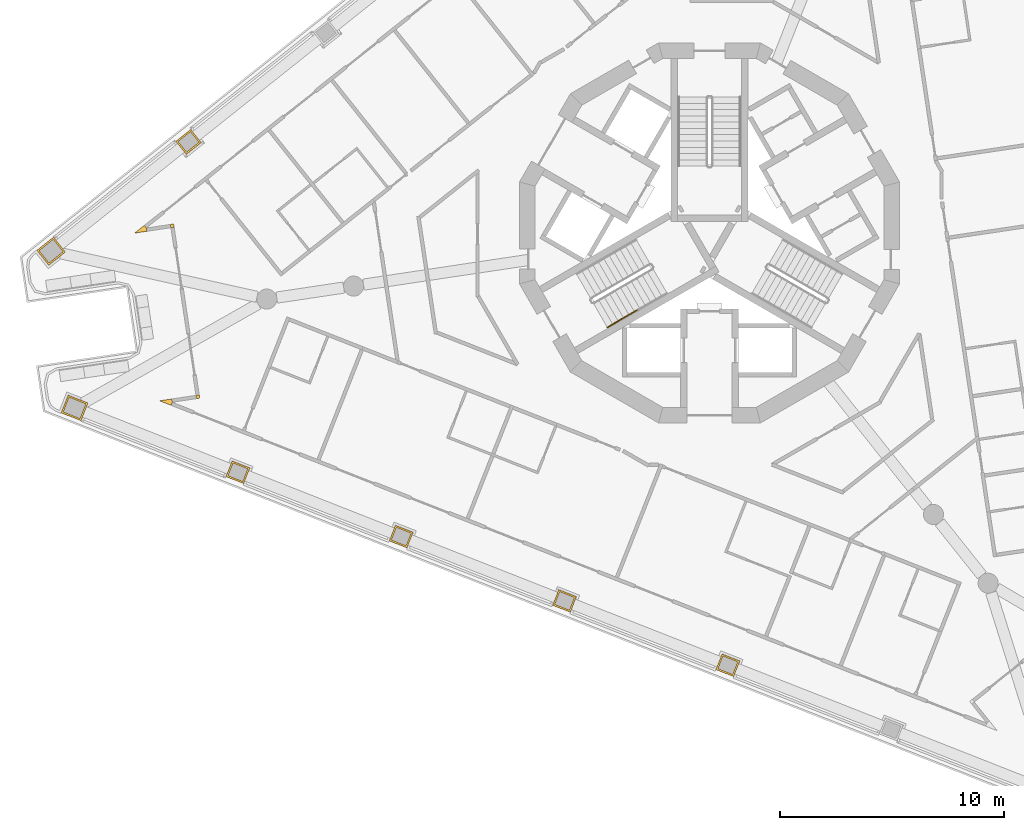
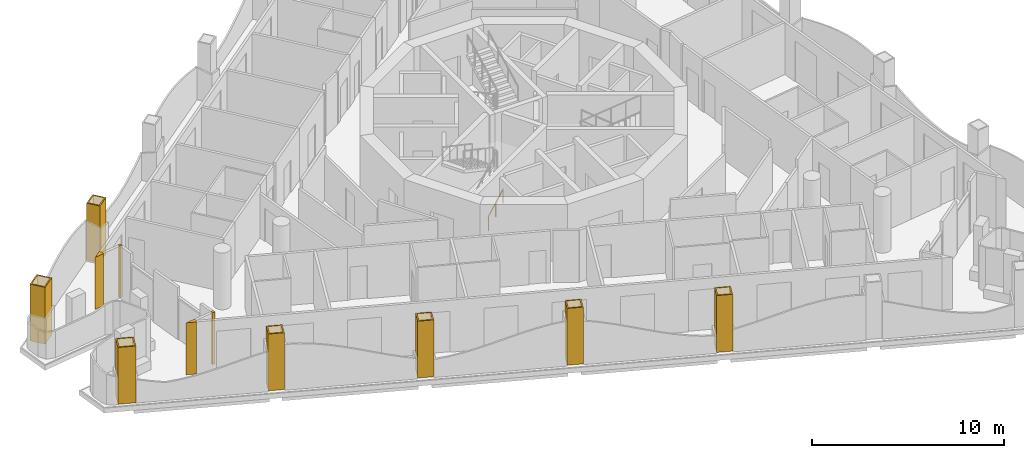
# One storey, part 10 of 16: 11 coverings, 1 railing.
"""IFC4 building model written with IfcOpenShell, lengths in metres."""

from ifc_helpers import new_model, si_unit, direction, frame, origin, origin_2d, place, context, subcontext, project, spatial, polyline, circle, outline, extrude, material, layer, layer_set, type_object, element, save


model = new_model("IFC4")

# Units and contexts
model_context = context("Model", 3, precision=1e-05, world=origin(), true_north=direction((0.0, 1.0)))
body_context = subcontext(model_context, "Body", "Model", "MODEL_VIEW")
ifc_project = project(units=[si_unit("LENGTHUNIT", "METRE"), si_unit("AREAUNIT", "SQUARE_METRE"), si_unit("VOLUMEUNIT", "CUBIC_METRE"), si_unit("PLANEANGLEUNIT", "RADIAN"), si_unit("MASSUNIT", "GRAM", prefix="KILO")], contexts=[model_context])

# Site, building, storey
site_placement = place(None, origin())
site = spatial("IfcSite", under=ifc_project, at=site_placement, CompositionType="ELEMENT")
building_placement = place(site_placement, origin())
building = spatial("IfcBuilding", under=site, at=building_placement, Name="Trine Commons Tower", CompositionType="ELEMENT")
storey_placement = place(building_placement, frame((0.0, 0.0, 205.199951171875)))
storey = spatial("IfcBuildingStorey", under=building, at=storey_placement, Name="L53", CompositionType="ELEMENT", Elevation=205.199951171875)

# Coverings
ifc_material_1 = material(Name="Aluminium-framed insulated wall panel", Category="aluminium")
ifc_layer_1 = layer(ifc_material_1, 0.14990234375)
ifc_layer_set_1 = layer_set([ifc_layer_1], Name="Aluminium-framed insulated wall panel")
covering_type_1 = type_object("IfcCoveringType", Name="Glazing corner post, aluminium", PredefinedType="CLADDING", material=ifc_layer_set_1)
covering_1_placement = place(storey_placement, origin())
element("IfcCovering", 1, at=covering_1_placement, inside=storey, type_object=covering_type_1, Name="Glazing corner post 6-01", PredefinedType="CLADDING", context=body_context, shape_type="SweptSolid", body=[
    extrude(outline(polyline([(54.83642578125, 62.5712890625), (54.814208984375, 62.7197265625), (54.720947265625, 62.837158203125), (54.28271484375, 62.488525390625), (54.83642578125, 62.5712890625)])), origin(), (0.0, 0.0, 1.0), 3.300048828125),
])
covering_2_placement = place(storey_placement, origin())
element("IfcCovering", 2, at=covering_2_placement, inside=storey, type_object=covering_type_1, Name="Glazing corner post 6-10", PredefinedType="CLADDING", context=body_context, shape_type="SweptSolid", body=[
    extrude(outline(polyline([(55.924072265625, 54.78662109375), (55.97900390625, 54.92626953125), (55.956787109375, 55.07470703125), (55.4033203125, 54.991943359375), (55.924072265625, 54.78662109375)])), origin(), (0.0, 0.0, 1.0), 3.300048828125),
])
covering_3_placement = place(storey_placement, origin())
element("IfcCovering", 3, at=covering_3_placement, inside=storey, type_object=covering_type_1, Name="Glazing corner post 6-11", PredefinedType="CLADDING", context=body_context, shape_type="SweptSolid", body=[
    extrude(outline(polyline([(57.030517578125, 55.235107421875), (57.052734375, 55.0869140625), (57.201171875, 55.10888671875), (57.178955078125, 55.25732421875), (57.030517578125, 55.235107421875)])), origin(), (0.0, 0.0, 1.0), 3.300048828125),
])
covering_4_placement = place(storey_placement, origin())
element("IfcCovering", 4, at=covering_4_placement, inside=storey, type_object=covering_type_1, Name="Glazing corner post 6-12", PredefinedType="CLADDING", context=body_context, shape_type="SweptSolid", body=[
    extrude(outline(polyline([(55.91015625, 62.731689453125), (55.91015625, 62.731689453125), (56.05859375, 62.75390625), (56.036376953125, 62.90234375), (55.887939453125, 62.880126953125), (55.91015625, 62.731689453125)])), origin(), (0.0, 0.0, 1.0), 3.300048828125),
])
ifc_material_2 = material(Name="Limestone, honed", Category="masonry")
ifc_layer_2 = layer(ifc_material_2, 0.074951171875)
ifc_layer_set_2 = layer_set([ifc_layer_2], Name="Limestone, honed")
covering_type_2 = type_object("IfcCoveringType", Name="Limestone column cladding 75", PredefinedType="CLADDING", material=ifc_layer_set_2)
covering_5_placement = place(storey_placement, origin())
element("IfcCovering", 5, at=covering_5_placement, inside=storey, type_object=covering_type_2, Name="Limestone pier cladding 6-03", PredefinedType="CLADDING", context=body_context, shape_type="SweptSolid", body=[
    extrude(outline(polyline([(80.562744140625, 43.66796875), (80.287841796875, 42.97021484375), (81.078857421875, 42.658447265625), (81.353759765625, 43.356201171875), (80.562744140625, 43.66796875)]), holes=[polyline([(80.60498046875, 43.570556640625), (80.38525390625, 43.012451171875), (81.03662109375, 42.755859375), (81.25634765625, 43.31396484375), (80.60498046875, 43.570556640625)])]), origin(), (0.0, 0.0, 1.0), 3.60009765625),
])
covering_6_placement = place(storey_placement, origin())
element("IfcCovering", 6, at=covering_6_placement, inside=storey, type_object=covering_type_2, Name="Limestone pier cladding 6-04", PredefinedType="CLADDING", context=body_context, shape_type="SweptSolid", body=[
    extrude(outline(polyline([(73.25830078125, 46.545166015625), (72.9833984375, 45.847412109375), (73.7744140625, 45.535888671875), (74.04931640625, 46.233642578125), (73.25830078125, 46.545166015625)]), holes=[polyline([(73.30078125, 46.447998046875), (73.080810546875, 45.8896484375), (73.732177734375, 45.633056640625), (73.951904296875, 46.19140625), (73.30078125, 46.447998046875)])]), origin(), (0.0, 0.0, 1.0), 3.60009765625),
])
covering_7_placement = place(storey_placement, origin())
element("IfcCovering", 7, at=covering_7_placement, inside=storey, type_object=covering_type_2, Name="Limestone pier cladding 6-05", PredefinedType="CLADDING", context=body_context, shape_type="SweptSolid", body=[
    extrude(outline(polyline([(65.9541015625, 49.42236328125), (65.67919921875, 48.724609375), (66.47021484375, 48.4130859375), (66.7451171875, 49.11083984375), (65.9541015625, 49.42236328125)]), holes=[polyline([(65.996337890625, 49.3251953125), (65.776611328125, 48.766845703125), (66.427734375, 48.51025390625), (66.647705078125, 49.068603515625), (65.996337890625, 49.3251953125)])]), origin(), (0.0, 0.0, 1.0), 3.60009765625),
])
covering_8_placement = place(storey_placement, origin())
element("IfcCovering", 8, at=covering_8_placement, inside=storey, type_object=covering_type_2, Name="Limestone pier cladding 6-06", PredefinedType="CLADDING", context=body_context, shape_type="SweptSolid", body=[
    extrude(outline(polyline([(58.64990234375, 52.2998046875), (58.375, 51.601806640625), (59.165771484375, 51.290283203125), (59.440673828125, 51.988037109375), (58.64990234375, 52.2998046875)]), holes=[polyline([(58.692138671875, 52.202392578125), (58.47216796875, 51.644287109375), (59.12353515625, 51.3876953125), (59.343505859375, 51.94580078125), (58.692138671875, 52.202392578125)])]), origin(), (0.0, 0.0, 1.0), 3.60009765625),
])
covering_9_placement = place(storey_placement, origin())
element("IfcCovering", 9, at=covering_9_placement, inside=storey, type_object=covering_type_2, Name="Limestone pier cladding 6-07", PredefinedType="CLADDING", context=body_context, shape_type="SweptSolid", body=[
    extrude(outline(polyline([(51.317138671875, 55.24169921875), (51.005615234375, 54.450927734375), (51.8896484375, 54.102783203125), (52.201171875, 54.8935546875), (51.317138671875, 55.24169921875)]), holes=[polyline([(51.359619140625, 55.14453125), (51.10302734375, 54.493408203125), (51.847412109375, 54.2001953125), (52.103759765625, 54.851318359375), (51.359619140625, 55.14453125)])]), origin(), (0.0, 0.0, 1.0), 3.60009765625),
])
covering_10_placement = place(storey_placement, origin())
element("IfcCovering", 10, at=covering_10_placement, inside=storey, type_object=covering_type_2, Name="Limestone pier cladding 6-08", PredefinedType="CLADDING", context=body_context, shape_type="SweptSolid", body=[
    extrude(outline(polyline([(51.19189453125, 61.646484375), (50.662841796875, 62.311767578125), (49.919189453125, 61.72021484375), (50.448486328125, 61.05517578125), (51.19189453125, 61.646484375)]), holes=[polyline([(51.08642578125, 61.658447265625), (50.65087890625, 62.206298828125), (50.024658203125, 61.708251953125), (50.46044921875, 61.160400390625), (51.08642578125, 61.658447265625)])]), origin(), (0.0, 0.0, 1.0), 3.60009765625),
])
covering_11_placement = place(storey_placement, origin())
element("IfcCovering", 11, at=covering_11_placement, inside=storey, type_object=covering_type_2, Name="Limestone pier cladding 6-09", PredefinedType="CLADDING", context=body_context, shape_type="SweptSolid", body=[
    extrude(outline(polyline([(57.265625, 66.54150390625), (56.798583984375, 67.12841796875), (56.13330078125, 66.599365234375), (56.600341796875, 66.012451171875), (57.265625, 66.54150390625)]), holes=[polyline([(57.16015625, 66.5537109375), (56.78662109375, 67.023193359375), (56.23876953125, 66.58740234375), (56.6123046875, 66.117919921875), (57.16015625, 66.5537109375)])]), origin(), (0.0, 0.0, 1.0), 3.60009765625),
])

# Railing
ifc_material_3 = material(Name="Stainless steel handrail", Category="steel")
railing_type = type_object("IfcRailingType", Name="Stair handrail, steel 900", PredefinedType="HANDRAIL", material=ifc_material_3)
railing_placement = place(storey_placement, frame((75.43017578125, 58.27392578125, 0.150146484375)))
element("IfcRailing", 12, at=railing_placement, inside=storey, type_object=railing_type, Name="L53 ST2C stair handrail 1", PredefinedType="HANDRAIL", context=body_context, shape_type="SweptSolid", body=[
    extrude(circle(Radius=0.02099609375, at=origin_2d()), frame((0.0, 0.0, 0.87890625), z_axis=(0.76340495495, 0.440743040072, 0.472184759798), x_axis=(-0.499992328818, 0.866029832698, 0.0)), (0.0, 0.0, 1.0), 1.7470703125),
    extrude(circle(Radius=0.01513671875, at=origin_2d()), origin(), (0.0, 0.0, 1.0), 0.85791015625),
    extrude(circle(Radius=0.01513671875, at=origin_2d()), frame((0.6669921875, 0.385009765625, 0.41259765625)), (0.0, 0.0, 1.0), 0.85791015625),
    extrude(circle(Radius=0.01513671875, at=origin_2d()), frame((1.333740234375, 0.77001953125, 0.824951171875)), (0.0, 0.0, 1.0), 0.85791015625),
])

save(model, "model.ifc")
